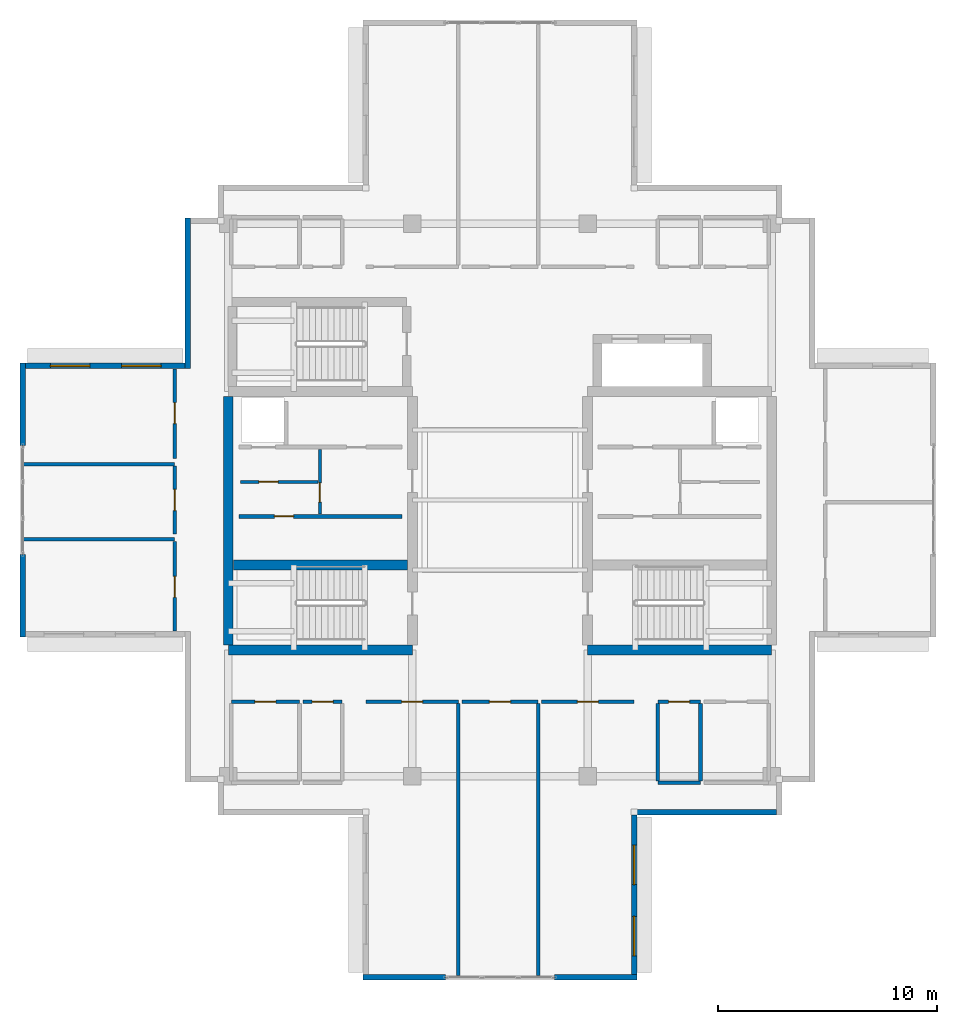
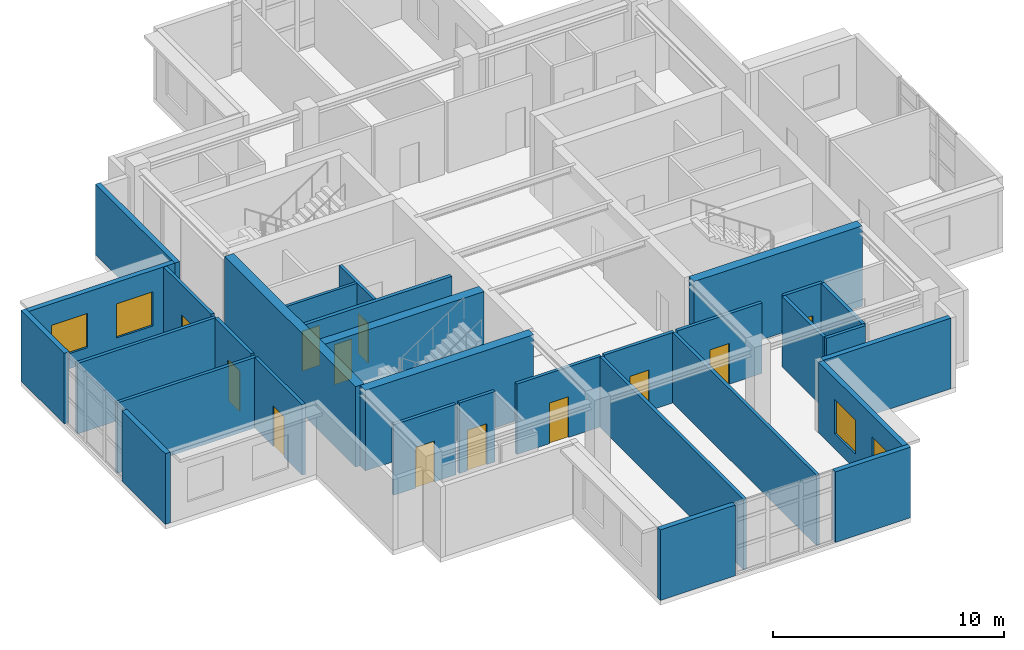
# One storey, part 10 of 16: 31 walls, 12 doors, 4 windows, 16 openings.
"""IFC4 building model written with IfcOpenShell, lengths in metres."""

from ifc_helpers import new_model, si_unit, direction, frame, frame_2d, origin, place, context, subcontext, project, spatial, rectangle, extrude, material, layer, layer_set, type_object, element, fill, save


model = new_model("IFC4")

# Units and contexts
model_context = context("Model", 3, precision=1e-05, world=origin(), true_north=direction((0.0, 1.0)))
body_context = subcontext(model_context, "Body", "Model", "MODEL_VIEW")
ifc_project = project(units=[si_unit("LENGTHUNIT", "METRE"), si_unit("AREAUNIT", "SQUARE_METRE"), si_unit("VOLUMEUNIT", "CUBIC_METRE"), si_unit("PLANEANGLEUNIT", "RADIAN"), si_unit("MASSUNIT", "GRAM", prefix="KILO")], contexts=[model_context])

# Site, building, storey
site_placement = place(None, origin())
site = spatial("IfcSite", under=ifc_project, at=site_placement, CompositionType="ELEMENT")
building_placement = place(site_placement, origin())
building = spatial("IfcBuilding", under=site, at=building_placement, Name="Qingluan Cross Belvedere", CompositionType="ELEMENT")
storey_placement = place(building_placement, frame((0.0, 0.0, 308.39990234375)))
storey = spatial("IfcBuildingStorey", under=building, at=storey_placement, Name="L76", CompositionType="ELEMENT", Elevation=308.39990234375)

# Walls
ifc_material_1 = material(Name="Concrete C50", Category="concrete")
ifc_layer_1 = layer(ifc_material_1, 0.449951171875, Name="CoreShearWall_450")
ifc_layer_set_1 = layer_set([ifc_layer_1], Name="Concrete C50")
wall_type_1 = type_object("IfcWallType", Name="CoreShearWall_450", PredefinedType="SHEAR", material=ifc_layer_set_1)
wall_1_placement = place(storey_placement, frame((-12.39990234375, -6.85009765625, 0.0), z_axis=(0.0, 0.0, 1.0), x_axis=(1.0, 0.0, 0.0)))
element("IfcWall", 1, at=wall_1_placement, inside=storey, type_object=wall_type_1, Name="Split core W shear wall L76-S", PredefinedType="SHEAR", context=body_context, shape_type="SweptSolid", body=[
    extrude(rectangle(XDim=8.39990234375, YDim=0.449951171875, at=frame_2d((4.199951171875, 0.0))), origin(), (0.0, 0.0, 1.0), 4.25),
])
wall_2_placement = place(storey_placement, frame((-12.39990234375, -6.6201171875, 0.0), z_axis=(0.0, 0.0, 1.0), x_axis=(0.0, 1.0, 0.0)))
element("IfcWall", 2, at=wall_2_placement, inside=storey, type_object=wall_type_1, Name="Split core W shear wall L76-W", PredefinedType="SHEAR", context=body_context, shape_type="SweptSolid", body=[
    extrude(rectangle(XDim=11.340087890625, YDim=0.449951171875, at=frame_2d((5.669921875, 0.0))), origin(), (0.0, 0.0, 1.0), 4.25),
])
wall_3_placement = place(storey_placement, frame((-12.169921875, -2.9599609375, 0.0), z_axis=(0.0, 0.0, 1.0), x_axis=(1.0, 0.0, 0.0)))
element("IfcWall", 3, at=wall_3_placement, inside=storey, type_object=wall_type_1, Name="Split core W shear wall L76-M", PredefinedType="SHEAR", context=body_context, shape_type="SweptSolid", body=[
    extrude(rectangle(XDim=7.93994140625, YDim=0.449951171875, at=frame_2d((3.969970703125, 0.0))), origin(), (0.0, 0.0, 1.0), 4.25),
])
wall_4_placement = place(storey_placement, frame((4.0, -6.85009765625, 0.0), z_axis=(0.0, 0.0, 1.0), x_axis=(1.0, 0.0, 0.0)))
element("IfcWall", 4, at=wall_4_placement, inside=storey, type_object=wall_type_1, Name="Split core E shear wall L76-S", PredefinedType="SHEAR", context=body_context, shape_type="SweptSolid", body=[
    extrude(rectangle(XDim=8.39990234375, YDim=0.449951171875, at=frame_2d((4.199951171875, 0.0))), origin(), (0.0, 0.0, 1.0), 4.25),
])

# Wall, opening, door
ifc_material_2 = material(Name="Gypsum plasterboard on steel stud acoustic partition", Category="steel")
ifc_layer_2 = layer(ifc_material_2, 0.159912109375, Name="CorridorPartition_160")
ifc_layer_set_2 = layer_set([ifc_layer_2], Name="Gypsum plasterboard on steel stud acoustic partition")
wall_type_2 = type_object("IfcWallType", Name="CorridorPartition_160", PredefinedType="PARTITIONING", material=ifc_layer_set_2)
wall_5_placement = place(storey_placement, frame((-11.85009765625, 0.830078125, 0.0), z_axis=(0.0, 0.0, 1.0), x_axis=(1.0, 0.0, 0.0)))
wall_5 = element("IfcWall", 5, at=wall_5_placement, inside=storey, type_object=wall_type_2, Name="Partition L76:w", PredefinedType="PARTITIONING", context=body_context, shape_type="SweptSolid", body=[
    extrude(rectangle(XDim=3.552001953125, YDim=0.139892578125, at=frame_2d((1.77587890625, 0.0))), origin(), (0.0, 0.0, 1.0), 3.72021484375),
])
opening_1_placement = place(wall_5_placement, frame((0.85009765625, 0.0, 0.0)))
opening_1 = element("IfcOpeningElement", 6, at=opening_1_placement, cuts=wall_5, Name="Opening FD-B10", PredefinedType="OPENING", context=body_context, shape_type="SweptSolid", body=[
    extrude(rectangle(XDim=0.8798828125, YDim=2.10009765625, at=frame_2d((0.43994140625, 1.050048828125))), frame((0.0, 0.079833984375, 0.0), z_axis=(0.0, -1.0, 0.0), x_axis=(1.0, 0.0, 0.0)), (0.0, 0.0, 1.0), 0.159912109375),
])
ifc_material_3 = material(Name="Steel Class B service fire door", Category="steel")
door_type_1 = type_object("IfcDoorType", Name="RiserServiceFireDoor_FDB", OperationType="NOTDEFINED", PredefinedType="DOOR", material=ifc_material_3)
door_1_placement = place(opening_1_placement, origin())
door_1 = element("IfcDoor", 7, at=door_1_placement, inside=storey, type_object=door_type_1, Name="Service closet inner door L76", OperationType="SINGLE_SWING_LEFT", OverallHeight=2.10009765625, OverallWidth=0.8798828125, PredefinedType="DOOR", context=body_context, shape_type="SweptSolid", body=[
    extrude(rectangle(XDim=0.8798828125, YDim=2.10009765625, at=frame_2d((0.43994140625, 1.050048828125))), frame((0.0, 0.02490234375, 0.0), z_axis=(0.0, -1.0, 0.0), x_axis=(1.0, 0.0, 0.0)), (0.0, 0.0, 1.0), 0.050048828125),
])
fill(opening_1, door_1)

wall_6_placement = place(storey_placement, frame((-6.1201171875, -9.199951171875, 0.0), z_axis=(0.0, 0.0, 1.0), x_axis=(1.0, 0.0, 0.0)))
wall_6 = element("IfcWall", 8, at=wall_6_placement, inside=storey, type_object=wall_type_2, Name="Partition L76:sr_s1:N", PredefinedType="PARTITIONING", context=body_context, shape_type="SweptSolid", body=[
    extrude(rectangle(XDim=4.22021484375, YDim=0.159912109375, at=frame_2d((2.110107421875, 0.0))), origin(), (0.0, 0.0, 1.0), 3.72021484375),
])
opening_2_placement = place(wall_6_placement, frame((1.6298828125, 0.0, 0.0)))
opening_2 = element("IfcOpeningElement", 9, at=opening_2_placement, cuts=wall_6, Name="Opening GD-10", PredefinedType="OPENING", context=body_context, shape_type="SweptSolid", body=[
    extrude(rectangle(XDim=0.9599609375, YDim=2.14990234375, at=frame_2d((0.47998046875, 1.074951171875))), frame((0.0, 0.08984375, 0.0), z_axis=(0.0, -1.0, 0.0), x_axis=(1.0, 0.0, 0.0)), (0.0, 0.0, 1.0), 0.179931640625),
])
ifc_material_4 = material(Name="Timber oak fire-rated acoustic guestroom door", Category="wood")
door_type_2 = type_object("IfcDoorType", Name="GuestEntryDoor_FD60", OperationType="NOTDEFINED", PredefinedType="DOOR", material=ifc_material_4)
door_2_placement = place(opening_2_placement, origin())
door_2 = element("IfcDoor", 10, at=door_2_placement, inside=storey, type_object=door_type_2, Name="Upper Yangtze dining salon A L76 door", OperationType="SINGLE_SWING_LEFT", OverallHeight=2.14990234375, OverallWidth=0.9599609375, PredefinedType="DOOR", context=body_context, shape_type="SweptSolid", body=[
    extrude(rectangle(XDim=0.9599609375, YDim=2.14990234375, at=frame_2d((0.47998046875, 1.074951171875))), frame((0.0, 0.02490234375, 0.0), z_axis=(0.0, -1.0, 0.0), x_axis=(1.0, 0.0, 0.0)), (0.0, 0.0, 1.0), 0.050048828125),
])
fill(opening_2, door_2)

# Wall
wall_7_placement = place(storey_placement, frame((-1.89990234375, -21.695068359375, 0.0), z_axis=(0.0, 0.0, 1.0), x_axis=(0.0, 1.0, 0.0)))
element("IfcWall", 11, at=wall_7_placement, inside=storey, type_object=wall_type_2, Name="Partition L76:sr_s1:E", PredefinedType="PARTITIONING", context=body_context, shape_type="SweptSolid", body=[
    extrude(rectangle(XDim=12.41015625, YDim=0.159912109375, at=frame_2d((6.205078125, 0.0))), origin(), (0.0, 0.0, 1.0), 3.72021484375),
])

# Wall, opening, door
wall_8_placement = place(storey_placement, frame((-1.739990234375, -9.199951171875, 0.0), z_axis=(0.0, 0.0, 1.0), x_axis=(1.0, 0.0, 0.0)))
wall_8 = element("IfcWall", 12, at=wall_8_placement, inside=storey, type_object=wall_type_2, Name="Partition L76:sr_s2:N", PredefinedType="PARTITIONING", context=body_context, shape_type="SweptSolid", body=[
    extrude(rectangle(XDim=3.47998046875, YDim=0.159912109375, at=frame_2d((1.739990234375, 0.0))), origin(), (0.0, 0.0, 1.0), 3.72021484375),
])
opening_3_placement = place(wall_8_placement, frame((1.260009765625, 0.0, 0.0)))
opening_3 = element("IfcOpeningElement", 13, at=opening_3_placement, cuts=wall_8, Name="Opening GD-10", PredefinedType="OPENING", context=body_context, shape_type="SweptSolid", body=[
    extrude(rectangle(XDim=0.9599609375, YDim=2.14990234375, at=frame_2d((0.47998046875, 1.074951171875))), frame((0.0, 0.08984375, 0.0), z_axis=(0.0, -1.0, 0.0), x_axis=(1.0, 0.0, 0.0)), (0.0, 0.0, 1.0), 0.179931640625),
])
door_3_placement = place(opening_3_placement, origin())
door_3 = element("IfcDoor", 14, at=door_3_placement, inside=storey, type_object=door_type_2, Name="Upper Yangtze dining salon B L76 door", OperationType="SINGLE_SWING_RIGHT", OverallHeight=2.14990234375, OverallWidth=0.9599609375, PredefinedType="DOOR", context=body_context, shape_type="SweptSolid", body=[
    extrude(rectangle(XDim=0.9599609375, YDim=2.14990234375, at=frame_2d((0.47998046875, 1.074951171875))), frame((0.0, 0.02490234375, 0.0), z_axis=(0.0, -1.0, 0.0), x_axis=(1.0, 0.0, 0.0)), (0.0, 0.0, 1.0), 0.050048828125),
])
fill(opening_3, door_3)

# Wall
wall_9_placement = place(storey_placement, frame((1.739990234375, -21.695068359375, 0.0), z_axis=(0.0, 0.0, 1.0), x_axis=(0.0, 1.0, 0.0)))
element("IfcWall", 15, at=wall_9_placement, inside=storey, type_object=wall_type_2, Name="Partition L76:sr_s2:E", PredefinedType="PARTITIONING", context=body_context, shape_type="SweptSolid", body=[
    extrude(rectangle(XDim=12.41015625, YDim=0.159912109375, at=frame_2d((6.205078125, 0.0))), origin(), (0.0, 0.0, 1.0), 3.72021484375),
])

# Wall, opening, door
wall_10_placement = place(storey_placement, frame((1.89990234375, -9.199951171875, 0.0), z_axis=(0.0, 0.0, 1.0), x_axis=(1.0, 0.0, 0.0)))
wall_10 = element("IfcWall", 16, at=wall_10_placement, inside=storey, type_object=wall_type_2, Name="Partition L76:sr_s3:N", PredefinedType="PARTITIONING", context=body_context, shape_type="SweptSolid", body=[
    extrude(rectangle(XDim=4.22021484375, YDim=0.159912109375, at=frame_2d((2.110107421875, 0.0))), origin(), (0.0, 0.0, 1.0), 3.72021484375),
])
opening_4_placement = place(wall_10_placement, frame((1.6298828125, 0.0, 0.0)))
opening_4 = element("IfcOpeningElement", 17, at=opening_4_placement, cuts=wall_10, Name="Opening GD-10", PredefinedType="OPENING", context=body_context, shape_type="SweptSolid", body=[
    extrude(rectangle(XDim=0.9599609375, YDim=2.14990234375, at=frame_2d((0.47998046875, 1.074951171875))), frame((0.0, 0.08984375, 0.0), z_axis=(0.0, -1.0, 0.0), x_axis=(1.0, 0.0, 0.0)), (0.0, 0.0, 1.0), 0.179931640625),
])
door_4_placement = place(opening_4_placement, origin())
door_4 = element("IfcDoor", 18, at=door_4_placement, inside=storey, type_object=door_type_2, Name="Upper Yangtze dining salon C L76 door", OperationType="SINGLE_SWING_LEFT", OverallHeight=2.14990234375, OverallWidth=0.9599609375, PredefinedType="DOOR", context=body_context, shape_type="SweptSolid", body=[
    extrude(rectangle(XDim=0.9599609375, YDim=2.14990234375, at=frame_2d((0.47998046875, 1.074951171875))), frame((0.0, 0.02490234375, 0.0), z_axis=(0.0, -1.0, 0.0), x_axis=(1.0, 0.0, 0.0)), (0.0, 0.0, 1.0), 0.050048828125),
])
fill(opening_4, door_4)

# Wall
wall_11_placement = place(storey_placement, frame((-21.780029296875, -1.800048828125, 0.0), z_axis=(0.0, 0.0, 1.0), x_axis=(1.0, 0.0, 0.0)))
element("IfcWall", 19, at=wall_11_placement, inside=storey, type_object=wall_type_2, Name="Partition L76:sr_k1:N", PredefinedType="PARTITIONING", context=body_context, shape_type="SweptSolid", body=[
    extrude(rectangle(XDim=6.929931640625, YDim=0.159912109375, at=frame_2d((3.46484375, 0.0))), origin(), (0.0, 0.0, 1.0), 3.72021484375),
])

# Wall, opening, door
wall_12_placement = place(storey_placement, frame((-14.85009765625, -5.987060546875, 0.0), z_axis=(0.0, 0.0, 1.0), x_axis=(0.0, 1.0, 0.0)))
wall_12 = element("IfcWall", 20, at=wall_12_placement, inside=storey, type_object=wall_type_2, Name="Partition L76:sr_k1:E", PredefinedType="PARTITIONING", context=body_context, shape_type="SweptSolid", body=[
    extrude(rectangle(XDim=4.10205078125, YDim=0.159912109375, at=frame_2d((2.051025390625, 0.0))), origin(), (0.0, 0.0, 1.0), 3.72021484375),
])
opening_5_placement = place(wall_12_placement, frame((1.547119140625, 0.0, 0.0)))
opening_5 = element("IfcOpeningElement", 21, at=opening_5_placement, cuts=wall_12, Name="Opening GD-10", PredefinedType="OPENING", context=body_context, shape_type="SweptSolid", body=[
    extrude(rectangle(XDim=0.9599609375, YDim=2.14990234375, at=frame_2d((0.47998046875, 1.074951171875))), frame((0.0, 0.08984375, 0.0), z_axis=(0.0, -1.0, 0.0), x_axis=(1.0, 0.0, 0.0)), (0.0, 0.0, 1.0), 0.179931640625),
])
door_5_placement = place(opening_5_placement, origin())
door_5 = element("IfcDoor", 22, at=door_5_placement, inside=storey, type_object=door_type_2, Name="Upper restaurant hot kitchen L76 door", OperationType="SINGLE_SWING_RIGHT", OverallHeight=2.14990234375, OverallWidth=0.9599609375, PredefinedType="DOOR", context=body_context, shape_type="SweptSolid", body=[
    extrude(rectangle(XDim=0.9599609375, YDim=2.14990234375, at=frame_2d((0.47998046875, 1.074951171875))), frame((0.0, 0.02490234375, 0.0), z_axis=(0.0, -1.0, 0.0), x_axis=(1.0, 0.0, 0.0)), (0.0, 0.0, 1.0), 0.050048828125),
])
fill(opening_5, door_5)

# Wall
wall_13_placement = place(storey_placement, frame((-21.780029296875, 1.639892578125, 0.0), z_axis=(0.0, 0.0, 1.0), x_axis=(1.0, 0.0, 0.0)))
element("IfcWall", 23, at=wall_13_placement, inside=storey, type_object=wall_type_2, Name="Partition L76:sr_k2:N", PredefinedType="PARTITIONING", context=body_context, shape_type="SweptSolid", body=[
    extrude(rectangle(XDim=6.929931640625, YDim=0.159912109375, at=frame_2d((3.46484375, 0.0))), origin(), (0.0, 0.0, 1.0), 3.72021484375),
])

# Wall, opening, door
wall_14_placement = place(storey_placement, frame((-14.85009765625, -1.554931640625, 0.0), z_axis=(0.0, 0.0, 1.0), x_axis=(0.0, 1.0, 0.0)))
wall_14 = element("IfcWall", 24, at=wall_14_placement, inside=storey, type_object=wall_type_2, Name="Partition L76:sr_k2:E", PredefinedType="PARTITIONING", context=body_context, shape_type="SweptSolid", body=[
    extrude(rectangle(XDim=3.10986328125, YDim=0.159912109375, at=frame_2d((1.554931640625, 0.0))), origin(), (0.0, 0.0, 1.0), 3.72021484375),
])
opening_6_placement = place(wall_14_placement, frame((1.074951171875, 0.0, 0.0)))
opening_6 = element("IfcOpeningElement", 25, at=opening_6_placement, cuts=wall_14, Name="Opening GD-10", PredefinedType="OPENING", context=body_context, shape_type="SweptSolid", body=[
    extrude(rectangle(XDim=0.9599609375, YDim=2.14990234375, at=frame_2d((0.47998046875, 1.074951171875))), frame((0.0, 0.08984375, 0.0), z_axis=(0.0, -1.0, 0.0), x_axis=(1.0, 0.0, 0.0)), (0.0, 0.0, 1.0), 0.179931640625),
])
door_6_placement = place(opening_6_placement, origin())
door_6 = element("IfcDoor", 26, at=door_6_placement, inside=storey, type_object=door_type_2, Name="Upper cold larder kitchen L76 door", OperationType="SINGLE_SWING_LEFT", OverallHeight=2.14990234375, OverallWidth=0.9599609375, PredefinedType="DOOR", context=body_context, shape_type="SweptSolid", body=[
    extrude(rectangle(XDim=0.9599609375, YDim=2.14990234375, at=frame_2d((0.47998046875, 1.074951171875))), frame((0.0, 0.02490234375, 0.0), z_axis=(0.0, -1.0, 0.0), x_axis=(1.0, 0.0, 0.0)), (0.0, 0.0, 1.0), 0.050048828125),
])
fill(opening_6, door_6)

wall_15_placement = place(storey_placement, frame((-14.85009765625, 1.885009765625, 0.0), z_axis=(0.0, 0.0, 1.0), x_axis=(0.0, 1.0, 0.0)))
wall_15 = element("IfcWall", 27, at=wall_15_placement, inside=storey, type_object=wall_type_2, Name="Partition L76:sr_k3:E", PredefinedType="PARTITIONING", context=body_context, shape_type="SweptSolid", body=[
    extrude(rectangle(XDim=4.10205078125, YDim=0.159912109375, at=frame_2d((2.051025390625, 0.0))), origin(), (0.0, 0.0, 1.0), 3.72021484375),
])
opening_7_placement = place(wall_15_placement, frame((1.594970703125, 0.0, 0.0)))
opening_7 = element("IfcOpeningElement", 28, at=opening_7_placement, cuts=wall_15, Name="Opening GD-10", PredefinedType="OPENING", context=body_context, shape_type="SweptSolid", body=[
    extrude(rectangle(XDim=0.9599609375, YDim=2.14990234375, at=frame_2d((0.47998046875, 1.074951171875))), frame((0.0, 0.08984375, 0.0), z_axis=(0.0, -1.0, 0.0), x_axis=(1.0, 0.0, 0.0)), (0.0, 0.0, 1.0), 0.179931640625),
])
door_7_placement = place(opening_7_placement, origin())
door_7 = element("IfcDoor", 29, at=door_7_placement, inside=storey, type_object=door_type_2, Name="Upper pastry servery pantry L76 door", OperationType="SINGLE_SWING_RIGHT", OverallHeight=2.14990234375, OverallWidth=0.9599609375, PredefinedType="DOOR", context=body_context, shape_type="SweptSolid", body=[
    extrude(rectangle(XDim=0.9599609375, YDim=2.14990234375, at=frame_2d((0.47998046875, 1.074951171875))), frame((0.0, 0.02490234375, 0.0), z_axis=(0.0, -1.0, 0.0), x_axis=(1.0, 0.0, 0.0)), (0.0, 0.0, 1.0), 0.050048828125),
])
fill(opening_7, door_7)

wall_16_placement = place(storey_placement, frame((-12.260009765625, -9.199951171875, 0.0), z_axis=(0.0, 0.0, 1.0), x_axis=(1.0, 0.0, 0.0)))
wall_16 = element("IfcWall", 30, at=wall_16_placement, inside=storey, type_object=wall_type_2, Name="Partition L76:crown_sw1:N", PredefinedType="PARTITIONING", context=body_context, shape_type="SweptSolid", body=[
    extrude(rectangle(XDim=3.110107421875, YDim=0.159912109375, at=frame_2d((1.55517578125, 0.0))), origin(), (0.0, 0.0, 1.0), 3.72021484375),
])
opening_8_placement = place(wall_16_placement, frame((1.074951171875, 0.0, 0.0)))
opening_8 = element("IfcOpeningElement", 31, at=opening_8_placement, cuts=wall_16, Name="Opening GD-10", PredefinedType="OPENING", context=body_context, shape_type="SweptSolid", body=[
    extrude(rectangle(XDim=0.9599609375, YDim=2.14990234375, at=frame_2d((0.47998046875, 1.074951171875))), frame((0.0, 0.08984375, 0.0), z_axis=(0.0, -1.0, 0.0), x_axis=(1.0, 0.0, 0.0)), (0.0, 0.0, 1.0), 0.179931640625),
])
door_8_placement = place(opening_8_placement, origin())
door_8 = element("IfcDoor", 32, at=door_8_placement, inside=storey, type_object=door_type_2, Name="Upper private dining suite W L76 door", OperationType="SINGLE_SWING_LEFT", OverallHeight=2.14990234375, OverallWidth=0.9599609375, PredefinedType="DOOR", context=body_context, shape_type="SweptSolid", body=[
    extrude(rectangle(XDim=0.9599609375, YDim=2.14990234375, at=frame_2d((0.47998046875, 1.074951171875))), frame((0.0, 0.02490234375, 0.0), z_axis=(0.0, -1.0, 0.0), x_axis=(1.0, 0.0, 0.0)), (0.0, 0.0, 1.0), 0.050048828125),
])
fill(opening_8, door_8)

wall_17_placement = place(storey_placement, frame((-8.989990234375, -9.199951171875, 0.0), z_axis=(0.0, 0.0, 1.0), x_axis=(1.0, 0.0, 0.0)))
wall_17 = element("IfcWall", 33, at=wall_17_placement, inside=storey, type_object=wall_type_2, Name="Partition L76:crown_sw2:N", PredefinedType="PARTITIONING", context=body_context, shape_type="SweptSolid", body=[
    extrude(rectangle(XDim=1.7900390625, YDim=0.159912109375, at=frame_2d((0.89501953125, 0.0))), origin(), (0.0, 0.0, 1.0), 3.72021484375),
])
opening_9_placement = place(wall_17_placement, frame((0.4150390625, 0.0, 0.0)))
opening_9 = element("IfcOpeningElement", 34, at=opening_9_placement, cuts=wall_17, Name="Opening GD-10", PredefinedType="OPENING", context=body_context, shape_type="SweptSolid", body=[
    extrude(rectangle(XDim=0.9599609375, YDim=2.14990234375, at=frame_2d((0.47998046875, 1.074951171875))), frame((0.0, 0.08984375, 0.0), z_axis=(0.0, -1.0, 0.0), x_axis=(1.0, 0.0, 0.0)), (0.0, 0.0, 1.0), 0.179931640625),
])
door_9_placement = place(opening_9_placement, origin())
door_9 = element("IfcDoor", 35, at=door_9_placement, inside=storey, type_object=door_type_2, Name="Upper private dining suite C L76 door", OperationType="SINGLE_SWING_RIGHT", OverallHeight=2.14990234375, OverallWidth=0.9599609375, PredefinedType="DOOR", context=body_context, shape_type="SweptSolid", body=[
    extrude(rectangle(XDim=0.9599609375, YDim=2.14990234375, at=frame_2d((0.47998046875, 1.074951171875))), frame((0.0, 0.02490234375, 0.0), z_axis=(0.0, -1.0, 0.0), x_axis=(1.0, 0.0, 0.0)), (0.0, 0.0, 1.0), 0.050048828125),
])
fill(opening_9, door_9)

# Wall
wall_18_placement = place(storey_placement, frame((7.199951171875, -12.909912109375, 0.0), z_axis=(0.0, 0.0, 1.0), x_axis=(1.0, 0.0, 0.0)))
element("IfcWall", 36, at=wall_18_placement, inside=storey, type_object=wall_type_2, Name="Partition L76:crown_se1:S", PredefinedType="PARTITIONING", context=body_context, shape_type="SweptSolid", body=[
    extrude(rectangle(XDim=1.949951171875, YDim=0.159912109375, at=frame_2d((0.97509765625, 0.0))), origin(), (0.0, 0.0, 1.0), 3.72021484375),
])

# Wall, opening, door
wall_19_placement = place(storey_placement, frame((7.199951171875, -9.199951171875, 0.0), z_axis=(0.0, 0.0, 1.0), x_axis=(1.0, 0.0, 0.0)))
wall_19 = element("IfcWall", 37, at=wall_19_placement, inside=storey, type_object=wall_type_2, Name="Partition L76:crown_se1:N", PredefinedType="PARTITIONING", context=body_context, shape_type="SweptSolid", body=[
    extrude(rectangle(XDim=1.949951171875, YDim=0.159912109375, at=frame_2d((0.97509765625, 0.0))), origin(), (0.0, 0.0, 1.0), 3.72021484375),
])
opening_10_placement = place(wall_19_placement, frame((0.4951171875, 0.0, 0.0)))
opening_10 = element("IfcOpeningElement", 38, at=opening_10_placement, cuts=wall_19, Name="Opening GD-10", PredefinedType="OPENING", context=body_context, shape_type="SweptSolid", body=[
    extrude(rectangle(XDim=0.9599609375, YDim=2.14990234375, at=frame_2d((0.47998046875, 1.074951171875))), frame((0.0, 0.08984375, 0.0), z_axis=(0.0, -1.0, 0.0), x_axis=(1.0, 0.0, 0.0)), (0.0, 0.0, 1.0), 0.179931640625),
])
door_10_placement = place(opening_10_placement, origin())
door_10 = element("IfcDoor", 39, at=door_10_placement, inside=storey, type_object=door_type_2, Name="Upper private dining suite E L76 door", OperationType="SINGLE_SWING_LEFT", OverallHeight=2.14990234375, OverallWidth=0.9599609375, PredefinedType="DOOR", context=body_context, shape_type="SweptSolid", body=[
    extrude(rectangle(XDim=0.9599609375, YDim=2.14990234375, at=frame_2d((0.47998046875, 1.074951171875))), frame((0.0, 0.02490234375, 0.0), z_axis=(0.0, -1.0, 0.0), x_axis=(1.0, 0.0, 0.0)), (0.0, 0.0, 1.0), 0.050048828125),
])
fill(opening_10, door_10)

# Walls
for number, where, z_axis, x_axis, name in (
    (40, (7.199951171875, -12.824951171875, 0.0), (0.0, 0.0, 1.0), (0.0, 1.0, 0.0), "Partition L76:crown_se1:W"),
    (41, (9.14990234375, -12.824951171875, 0.0), (0.0, 0.0, 1.0), (0.0, 1.0, 0.0), "Partition L76:crown_se1:E"),
):
    element("IfcWall", number, at=place(storey_placement, frame(where, z_axis=z_axis, x_axis=x_axis)), inside=storey, type_object=wall_type_2, Name=name, PredefinedType="PARTITIONING", context=body_context, shape_type="SweptSolid", body=[
        extrude(rectangle(XDim=3.5400390625, YDim=0.159912109375, at=frame_2d((1.77001953125, 0.0))), origin(), (0.0, 0.0, 1.0), 3.72021484375),
    ])

# Wall, openings, windows
ifc_material_5 = material(Name="Precast concrete C45", Category="concrete")
ifc_layer_3 = layer(ifc_material_5, 0.25, Name="PrecastCrownWall_250")
ifc_layer_set_3 = layer_set([ifc_layer_3], Name="Precast concrete C45")
wall_type_3 = type_object("IfcWallType", Name="PrecastCrownWall_250", PredefinedType="STANDARD", material=ifc_layer_set_3)
wall_20_placement = place(storey_placement, frame((-14.364990234375, 6.1201171875, 0.0), z_axis=(0.0, 0.0, 1.0), x_axis=(-1.0, 0.0, 0.0)))
wall_20 = element("IfcWall", 42, at=wall_20_placement, inside=storey, type_object=wall_type_3, Name="Facade wall L76-WA", PredefinedType="STANDARD", context=body_context, shape_type="SweptSolid", body=[
    extrude(rectangle(XDim=7.2900390625, YDim=0.25, at=frame_2d((3.64501953125, 0.0))), origin(), (0.0, 0.0, 1.0), 3.72998046875),
])
opening_11_placement = place(wall_20_placement, frame((1.10009765625, 0.0, 0.800048828125)))
opening_11 = element("IfcOpeningElement", 43, at=opening_11_placement, cuts=wall_20, Name="Opening W-05", PredefinedType="OPENING", context=body_context, shape_type="SweptSolid", body=[
    extrude(rectangle(XDim=1.800048828125, YDim=1.800048828125, at=frame_2d((0.89990234375, 0.89990234375))), frame((0.0, 0.135009765625, 0.0), z_axis=(0.0, -1.0, 0.0), x_axis=(1.0, 0.0, 0.0)), (0.0, 0.0, 1.0), 0.27001953125),
])
opening_12_placement = place(wall_20_placement, frame((4.35009765625, 0.0, 0.800048828125)))
opening_12 = element("IfcOpeningElement", 44, at=opening_12_placement, cuts=wall_20, Name="Opening W-05", PredefinedType="OPENING", context=body_context, shape_type="SweptSolid", body=[
    extrude(rectangle(XDim=1.800048828125, YDim=1.800048828125, at=frame_2d((0.89990234375, 0.89990234375))), frame((0.0, 0.135009765625, 0.0), z_axis=(0.0, -1.0, 0.0), x_axis=(1.0, 0.0, 0.0)), (0.0, 0.0, 1.0), 0.27001953125),
])
ifc_material_6 = material(Name="Thermally broken triple Low-E glass in aluminium frame", Category="aluminium")
window_type = type_object("IfcWindowType", Name="CrownBelvedereWin_1800x1800", PartitioningType="SINGLE_PANEL", PredefinedType="WINDOW", material=ifc_material_6)
window_1_placement = place(opening_11_placement, origin())
window_1 = element("IfcWindow", 45, at=window_1_placement, inside=storey, type_object=window_type, Name="Ribbon window L76-WA-1", OverallHeight=1.800048828125, OverallWidth=1.800048828125, PartitioningType="SINGLE_PANEL", PredefinedType="WINDOW", context=body_context, shape_type="SweptSolid", body=[
    extrude(rectangle(XDim=1.800048828125, YDim=1.800048828125, at=frame_2d((0.89990234375, 0.89990234375))), frame((0.0, 0.030029296875, 0.0), z_axis=(0.0, -1.0, 0.0), x_axis=(1.0, 0.0, 0.0)), (0.0, 0.0, 1.0), 0.06005859375),
])
fill(opening_11, window_1)
window_2_placement = place(opening_12_placement, origin())
window_2 = element("IfcWindow", 46, at=window_2_placement, inside=storey, type_object=window_type, Name="Ribbon window L76-WA-2", OverallHeight=1.800048828125, OverallWidth=1.800048828125, PartitioningType="SINGLE_PANEL", PredefinedType="WINDOW", context=body_context, shape_type="SweptSolid", body=[
    extrude(rectangle(XDim=1.800048828125, YDim=1.800048828125, at=frame_2d((0.89990234375, 0.89990234375))), frame((0.0, 0.030029296875, 0.0), z_axis=(0.0, -1.0, 0.0), x_axis=(1.0, 0.0, 0.0)), (0.0, 0.0, 1.0), 0.06005859375),
])
fill(opening_12, window_2)

# Walls
for number, where, z_axis, x_axis, name in (
    (47, (-21.780029296875, 6.2451171875, 0.0), (0.0, 0.0, 1.0), (0.0, -1.0, 0.0), "Terrace portal jamb wall L76-W1"),
    (48, (-21.780029296875, -2.498046875, 0.0), (0.0, 0.0, 1.0), (0.0, -1.0, 0.0), "Terrace portal jamb wall L76-W2"),
):
    element("IfcWall", number, at=place(storey_placement, frame(where, z_axis=z_axis, x_axis=x_axis)), inside=storey, type_object=wall_type_3, Name=name, PredefinedType="STANDARD", context=body_context, shape_type="SweptSolid", body=[
        extrude(rectangle(XDim=3.7470703125, YDim=0.25, at=frame_2d((1.87353515625, 0.0))), origin(), (0.0, 0.0, 1.0), 3.72998046875),
    ])

# Wall, openings, windows
wall_21_placement = place(storey_placement, frame((6.1201171875, -21.655029296875, 0.0), z_axis=(0.0, 0.0, 1.0), x_axis=(0.0, 1.0, 0.0)))
wall_21 = element("IfcWall", 49, at=wall_21_placement, inside=storey, type_object=wall_type_3, Name="Facade wall L76-SB", PredefinedType="STANDARD", context=body_context, shape_type="SweptSolid", body=[
    extrude(rectangle(XDim=7.2900390625, YDim=0.25, at=frame_2d((3.64501953125, 0.0))), origin(), (0.0, 0.0, 1.0), 3.72998046875),
])
opening_13_placement = place(wall_21_placement, frame((0.85009765625, 0.0, 0.800048828125)))
opening_13 = element("IfcOpeningElement", 50, at=opening_13_placement, cuts=wall_21, Name="Opening W-05", PredefinedType="OPENING", context=body_context, shape_type="SweptSolid", body=[
    extrude(rectangle(XDim=1.800048828125, YDim=1.800048828125, at=frame_2d((0.89990234375, 0.89990234375))), frame((0.0, 0.135009765625, 0.0), z_axis=(0.0, -1.0, 0.0), x_axis=(1.0, 0.0, 0.0)), (0.0, 0.0, 1.0), 0.27001953125),
])
opening_14_placement = place(wall_21_placement, frame((4.10009765625, 0.0, 0.800048828125)))
opening_14 = element("IfcOpeningElement", 51, at=opening_14_placement, cuts=wall_21, Name="Opening W-05", PredefinedType="OPENING", context=body_context, shape_type="SweptSolid", body=[
    extrude(rectangle(XDim=1.800048828125, YDim=1.800048828125, at=frame_2d((0.89990234375, 0.89990234375))), frame((0.0, 0.135009765625, 0.0), z_axis=(0.0, -1.0, 0.0), x_axis=(1.0, 0.0, 0.0)), (0.0, 0.0, 1.0), 0.27001953125),
])
window_3_placement = place(opening_13_placement, origin())
window_3 = element("IfcWindow", 52, at=window_3_placement, inside=storey, type_object=window_type, Name="Ribbon window L76-SB-1", OverallHeight=1.800048828125, OverallWidth=1.800048828125, PartitioningType="SINGLE_PANEL", PredefinedType="WINDOW", context=body_context, shape_type="SweptSolid", body=[
    extrude(rectangle(XDim=1.800048828125, YDim=1.800048828125, at=frame_2d((0.89990234375, 0.89990234375))), frame((0.0, 0.030029296875, 0.0), z_axis=(0.0, -1.0, 0.0), x_axis=(1.0, 0.0, 0.0)), (0.0, 0.0, 1.0), 0.06005859375),
])
fill(opening_13, window_3)
window_4_placement = place(opening_14_placement, origin())
window_4 = element("IfcWindow", 53, at=window_4_placement, inside=storey, type_object=window_type, Name="Ribbon window L76-SB-2", OverallHeight=1.800048828125, OverallWidth=1.800048828125, PartitioningType="SINGLE_PANEL", PredefinedType="WINDOW", context=body_context, shape_type="SweptSolid", body=[
    extrude(rectangle(XDim=1.800048828125, YDim=1.800048828125, at=frame_2d((0.89990234375, 0.89990234375))), frame((0.0, 0.030029296875, 0.0), z_axis=(0.0, -1.0, 0.0), x_axis=(1.0, 0.0, 0.0)), (0.0, 0.0, 1.0), 0.06005859375),
])
fill(opening_14, window_4)

# Walls
for number, where, z_axis, x_axis, name in (
    (54, (-6.2451171875, -21.780029296875, 0.0), (0.0, 0.0, 1.0), (1.0, 0.0, 0.0), "Terrace portal jamb wall L76-S1"),
    (55, (2.498046875, -21.780029296875, 0.0), (0.0, 0.0, 1.0), (1.0, 0.0, 0.0), "Terrace portal jamb wall L76-S2"),
):
    element("IfcWall", number, at=place(storey_placement, frame(where, z_axis=z_axis, x_axis=x_axis)), inside=storey, type_object=wall_type_3, Name=name, PredefinedType="STANDARD", context=body_context, shape_type="SweptSolid", body=[
        extrude(rectangle(XDim=3.7470703125, YDim=0.25, at=frame_2d((1.87353515625, 0.0))), origin(), (0.0, 0.0, 1.0), 3.72998046875),
    ])
wall_22_placement = place(storey_placement, frame((-14.239990234375, 5.9951171875, 0.0), z_axis=(0.0, 0.0, 1.0), x_axis=(0.0, 1.0, 0.0)))
element("IfcWall", 56, at=wall_22_placement, inside=storey, type_object=wall_type_3, Name="Corner wall L76-NW1", PredefinedType="STANDARD", context=body_context, shape_type="SweptSolid", body=[
    extrude(rectangle(XDim=6.869873046875, YDim=0.25, at=frame_2d((3.43505859375, 0.0))), origin(), (0.0, 0.0, 1.0), 3.72998046875),
])
wall_23_placement = place(storey_placement, frame((12.614990234375, -14.239990234375, 0.0), z_axis=(0.0, 0.0, 1.0), x_axis=(-1.0, 0.0, 0.0)))
element("IfcWall", 57, at=wall_23_placement, inside=storey, type_object=wall_type_3, Name="Corner wall L76-SE4", PredefinedType="STANDARD", context=body_context, shape_type="SweptSolid", body=[
    extrude(rectangle(XDim=6.369873046875, YDim=0.25, at=frame_2d((3.18505859375, 0.0))), origin(), (0.0, 0.0, 1.0), 3.72998046875),
])

# Wall, opening, door
ifc_material_7 = material(Name="Concrete C40", Category="concrete")
ifc_layer_4 = layer(ifc_material_7, 0.219970703125, Name="ShaftEnclosureWall_250")
ifc_layer_set_4 = layer_set([ifc_layer_4], Name="Concrete C40")
wall_type_4 = type_object("IfcWallType", Name="ShaftEnclosureWall_250", PredefinedType="SOLIDWALL", material=ifc_layer_set_4)
wall_24_placement = place(storey_placement, frame((-11.89990234375, -0.75, 0.0), z_axis=(0.0, 0.0, 1.0), x_axis=(1.0, 0.0, 0.0)))
wall_24 = element("IfcWall", 58, at=wall_24_placement, inside=storey, type_object=wall_type_4, Name="Core-W mid hoistway wall L76", PredefinedType="SOLIDWALL", context=body_context, shape_type="SweptSolid", body=[
    extrude(rectangle(XDim=7.419921875, YDim=0.179931640625, at=frame_2d((3.7099609375, 0.0))), origin(), (0.0, 0.0, 1.0), 3.72021484375),
])
opening_15_placement = place(wall_24_placement, frame((1.60009765625, 0.0, 0.0)))
opening_15 = element("IfcOpeningElement", 59, at=opening_15_placement, cuts=wall_24, Name="Opening FD-B10", PredefinedType="OPENING", context=body_context, shape_type="SweptSolid", body=[
    extrude(rectangle(XDim=0.8798828125, YDim=2.10009765625, at=frame_2d((0.43994140625, 1.050048828125))), frame((0.0, 0.099853515625, 0.0), z_axis=(0.0, -1.0, 0.0), x_axis=(1.0, 0.0, 0.0)), (0.0, 0.0, 1.0), 0.199951171875),
])
door_11_placement = place(opening_15_placement, origin())
door_11 = element("IfcDoor", 60, at=door_11_placement, inside=storey, type_object=door_type_1, Name="Upper-zone electrical room door L76", OperationType="SINGLE_SWING_LEFT", OverallHeight=2.10009765625, OverallWidth=0.8798828125, PredefinedType="DOOR", context=body_context, shape_type="SweptSolid", body=[
    extrude(rectangle(XDim=0.8798828125, YDim=2.10009765625, at=frame_2d((0.43994140625, 1.050048828125))), frame((0.0, 0.02490234375, 0.0), z_axis=(0.0, -1.0, 0.0), x_axis=(1.0, 0.0, 0.0)), (0.0, 0.0, 1.0), 0.050048828125),
])
fill(opening_15, door_11)

wall_25_placement = place(storey_placement, frame((-8.219970703125, -0.64990234375, 0.0), z_axis=(0.0, 0.0, 1.0), x_axis=(0.0, 1.0, 0.0)))
wall_25 = element("IfcWall", 61, at=wall_25_placement, inside=storey, type_object=wall_type_4, Name="Core-W service corridor wall L76", PredefinedType="SOLIDWALL", context=body_context, shape_type="SweptSolid", body=[
    extrude(rectangle(XDim=2.9599609375, YDim=0.139892578125, at=frame_2d((1.47998046875, 0.0))), origin(), (0.0, 0.0, 1.0), 3.72021484375),
])
opening_16_placement = place(wall_25_placement, frame((0.550048828125, 0.0, 0.0)))
opening_16 = element("IfcOpeningElement", 62, at=opening_16_placement, cuts=wall_25, Name="Opening FD-B10", PredefinedType="OPENING", context=body_context, shape_type="SweptSolid", body=[
    extrude(rectangle(XDim=0.8798828125, YDim=2.10009765625, at=frame_2d((0.43994140625, 1.050048828125))), frame((0.0, 0.079833984375, 0.0), z_axis=(0.0, -1.0, 0.0), x_axis=(1.0, 0.0, 0.0)), (0.0, 0.0, 1.0), 0.159912109375),
])
door_12_placement = place(opening_16_placement, origin())
door_12 = element("IfcDoor", 63, at=door_12_placement, inside=storey, type_object=door_type_1, Name="Core-W service room door L76", OperationType="SINGLE_SWING_LEFT", OverallHeight=2.10009765625, OverallWidth=0.8798828125, PredefinedType="DOOR", context=body_context, shape_type="SweptSolid", body=[
    extrude(rectangle(XDim=0.8798828125, YDim=2.10009765625, at=frame_2d((0.43994140625, 1.050048828125))), frame((0.0, 0.02490234375, 0.0), z_axis=(0.0, -1.0, 0.0), x_axis=(1.0, 0.0, 0.0)), (0.0, 0.0, 1.0), 0.050048828125),
])
fill(opening_16, door_12)

save(model, "model.ifc")
